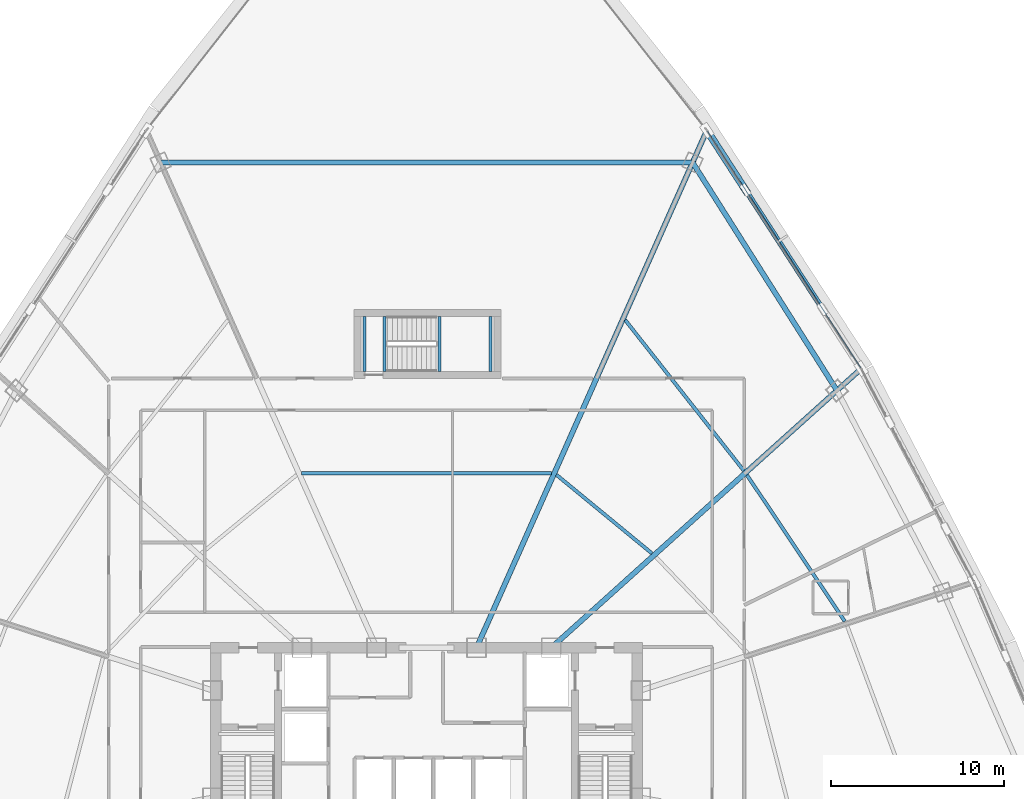
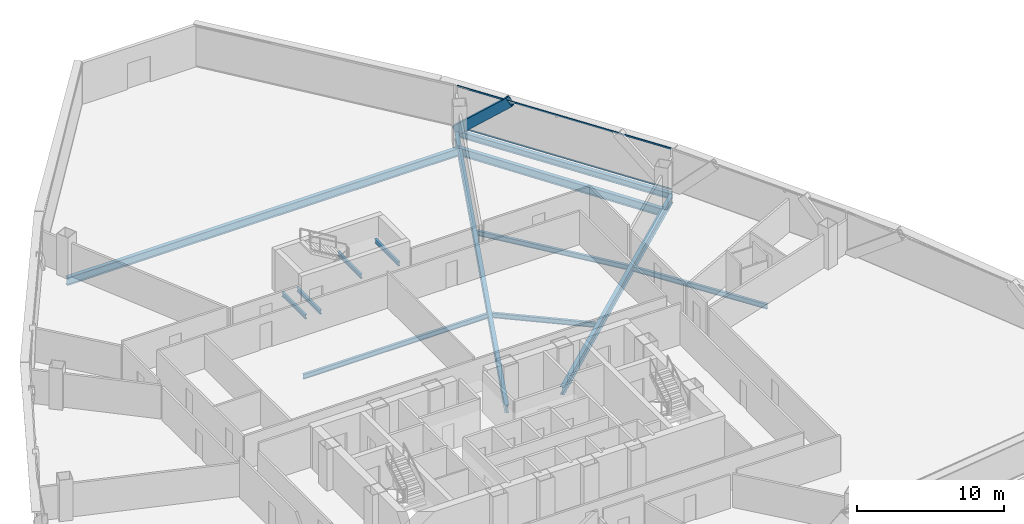
# One storey, part 19 of 42: 13 beams, 3 members, 1 element without a shape of its own.
"""IFC4 building model written with IfcOpenShell, lengths in metres."""

from ifc_helpers import new_model, si_unit, direction, frame, origin, origin_2d, place, context, subcontext, project, spatial, hollow_rectangle, i_section, extrude, source, transform, mapped, material, layer, layer_set, material_profile, profile_set, type_object, element, aggregate, save


model = new_model("IFC4")

# Units and contexts
model_context = context("Model", 3, precision=1e-05, world=origin(), true_north=direction((0.0, 1.0)))
body_context = subcontext(model_context, "Body", "Model", "MODEL_VIEW")
ifc_project = project(units=[si_unit("LENGTHUNIT", "METRE"), si_unit("AREAUNIT", "SQUARE_METRE"), si_unit("VOLUMEUNIT", "CUBIC_METRE"), si_unit("PLANEANGLEUNIT", "RADIAN"), si_unit("MASSUNIT", "GRAM", prefix="KILO"), si_unit("THERMODYNAMICTEMPERATUREUNIT", "KELVIN"), si_unit("POWERUNIT", "WATT")], contexts=[model_context])

# Site, building, storey
site_placement = place(None, origin())
site = spatial("IfcSite", under=ifc_project, at=site_placement, CompositionType="ELEMENT")
building_placement = place(site_placement, origin())
building = spatial("IfcBuilding", under=site, at=building_placement, Name="Yunzhuo Pagoda Commons", CompositionType="ELEMENT")
storey_placement = place(building_placement, frame((0.0, 0.0, 129.830078125)))
storey = spatial("IfcBuildingStorey", under=building, at=storey_placement, Name="L32", CompositionType="ELEMENT", Elevation=129.830078125)

# Beams
ifc_material_1 = material(Name="Structural steel Q355B", Category="steel")
ifc_material_profile_1 = material_profile(ifc_material_1, i_section(OverallWidth=0.175048828125, OverallDepth=0.35009765625, WebThickness=0.007080078125, FlangeThickness=0.010986328125, at=origin_2d()), Name="Structural steel Q355B")
ifc_profile_set_1 = profile_set([ifc_material_profile_1], Name="Structural steel Q355B")
beam_type_1 = type_object("IfcBeamType", Name="B-JS2 Joist HN 350x175x7x11", PredefinedType="JOIST", material=ifc_profile_set_1)
shared_shape_1 = source(origin(), body_context, "Body", "SweptSolid", [
    extrude(i_section(OverallWidth=0.175048828125, OverallDepth=0.35009765625, WebThickness=0.007080078125, FlangeThickness=0.010986328125, at=origin_2d()), origin(), (0.0, 0.0, 1.0), 3.199951171875),
])
for number, where, z_axis, x_axis, name in (
    (1, (48.75, 56.199951171875, 1.46484375), (0.0, 1.0, 0.0), (-1.0, 0.0, 0.0), "L32 ST3 landing support beam 38A"),
    (2, (51.699951171875, 56.199951171875, 1.46484375), (0.0, 1.0, 0.0), (-1.0, 0.0, 0.0), "L32 ST3 landing support beam 38B"),
    (3, (44.39990234375, 56.199951171875, -0.375), (0.0, 1.0, 0.0), (-1.0, 0.0, 0.0), "L32 ST3 landing support beam 106A"),
    (4, (45.550048828125, 56.199951171875, -0.375), (0.0, 1.0, 0.0), (-1.0, 0.0, 0.0), "L32 ST3 landing support beam 106B"),
):
    element("IfcBeam", number, at=place(storey_placement, frame(where, z_axis=z_axis, x_axis=x_axis)), inside=storey, type_object=beam_type_1, Name=name, PredefinedType="JOIST", context=body_context, shape_type="MappedRepresentation", body=[
        mapped(shared_shape_1, transform((0.0, 0.0, 0.0), scale=1.0)),
    ])
ifc_material_profile_2 = material_profile(ifc_material_1, i_section(OverallWidth=0.300048828125, OverallDepth=0.488037109375, WebThickness=0.010986328125, FlangeThickness=0.01806640625, at=origin_2d()), Name="Structural steel Q355B")
ifc_profile_set_2 = profile_set([ifc_material_profile_2], Name="Structural steel Q355B")
beam_type_2 = type_object("IfcBeamType", Name="B-SP1 Beam HM 488x300x11x18", PredefinedType="BEAM", material=ifc_profile_set_2)
shared_shape_2 = source(origin(), body_context, "Body", "SweptSolid", [
    extrude(i_section(OverallWidth=0.300048828125, OverallDepth=0.488037109375, WebThickness=0.010986328125, FlangeThickness=0.01806640625, at=origin_2d()), origin(), (0.0, 0.0, 1.0), 16.43994140625),
])
beam_1_placement = place(storey_placement, frame((73.173828125, 56.36669921875, -0.504150390625), z_axis=(-0.543751172909, 0.839246484627, 0.0), x_axis=(-0.839246484627, -0.543751172909, 0.0)))
element("IfcBeam", 5, at=beam_1_placement, inside=storey, type_object=beam_type_2, Name="L32 facade edge spandrel beam F2.3", PredefinedType="BEAM", context=body_context, shape_type="MappedRepresentation", body=[
    mapped(shared_shape_2, transform((0.0, 0.0, 0.0), scale=1.0)),
])
ifc_material_profile_3 = material_profile(ifc_material_1, i_section(OverallWidth=0.300048828125, OverallDepth=0.64990234375, WebThickness=0.012939453125, FlangeThickness=0.02197265625, at=origin_2d()), Name="Structural steel Q355B")
ifc_profile_set_3 = profile_set([ifc_material_profile_3], Name="Structural steel Q355B")
beam_type_3 = type_object("IfcBeamType", Name="B-RG2 Beam HN 650x300x13x22", PredefinedType="BEAM", material=ifc_profile_set_3)
shared_shape_3 = source(origin(), body_context, "Body", "SweptSolid", [
    extrude(i_section(OverallWidth=0.300048828125, OverallDepth=0.64990234375, WebThickness=0.012939453125, FlangeThickness=0.02197265625, at=origin_2d()), origin(), (0.0, 0.0, 1.0), 24.005859375),
])
beam_2_placement = place(storey_placement, frame((73.05859375, 56.26318359375, -0.5849609375), z_axis=(-0.743136854915, -0.66913945846, 0.0), x_axis=(0.66913945846, -0.743136854915, 0.0)))
element("IfcBeam", 6, at=beam_2_placement, inside=storey, type_object=beam_type_3, Name="L32 radial floor girder F2C3", PredefinedType="BEAM", context=body_context, shape_type="MappedRepresentation", body=[
    mapped(shared_shape_3, transform((0.0, 0.0, 0.0), scale=1.0)),
])
shared_shape_4 = source(origin(), body_context, "Body", "SweptSolid", [
    extrude(i_section(OverallWidth=0.300048828125, OverallDepth=0.64990234375, WebThickness=0.012939453125, FlangeThickness=0.02197265625, at=origin_2d()), origin(), (0.0, 0.0, 1.0), 32.64453125),
])
beam_3_placement = place(storey_placement, frame((64.171630859375, 70.022216796875, -0.5849609375), z_axis=(-0.406733058142, -0.91354705375, 0.0), x_axis=(0.91354705375, -0.406733058142, 0.0)))
element("IfcBeam", 7, at=beam_3_placement, inside=storey, type_object=beam_type_3, Name="L32 radial floor girder F2C4", PredefinedType="BEAM", context=body_context, shape_type="MappedRepresentation", body=[
    mapped(shared_shape_4, transform((0.0, 0.0, 0.0), scale=1.0)),
])
ifc_material_profile_4 = material_profile(ifc_material_1, i_section(OverallWidth=0.199951171875, OverallDepth=0.39990234375, WebThickness=0.008056640625, FlangeThickness=0.012939453125, at=origin_2d()), Name="Structural steel Q355B")
ifc_profile_set_4 = profile_set([ifc_material_profile_4], Name="Structural steel Q355B")
beam_type_4 = type_object("IfcBeamType", Name="B-JS1 Joist HN 400x200x8x13", PredefinedType="JOIST", material=ifc_profile_set_4)
shared_shape_5 = source(origin(), body_context, "Body", "SweptSolid", [
    extrude(i_section(OverallWidth=0.199951171875, OverallDepth=0.39990234375, WebThickness=0.008056640625, FlangeThickness=0.012939453125, at=origin_2d()), origin(), (0.0, 0.0, 1.0), 10.186767578125),
])
beam_4_placement = place(storey_placement, frame((72.221923828125, 41.731201171875, -0.4599609375), z_axis=(-0.555872145938, 0.831267801235, 0.0), x_axis=(-0.831267801235, -0.555872145938, 0.0)))
element("IfcBeam", 8, at=beam_4_placement, inside=storey, type_object=beam_type_4, Name="L32 composite ring joist 2.6", PredefinedType="JOIST", context=body_context, shape_type="MappedRepresentation", body=[
    mapped(shared_shape_5, transform((0.0, 0.0, 0.0), scale=1.0)),
])
shared_shape_6 = source(origin(), body_context, "Body", "SweptSolid", [
    extrude(i_section(OverallWidth=0.300048828125, OverallDepth=0.64990234375, WebThickness=0.012939453125, FlangeThickness=0.02197265625, at=origin_2d()), origin(), (0.0, 0.0, 1.0), 15.627685546875),
])
beam_5_placement = place(storey_placement, frame((71.76611328125, 55.09912109375, -0.5849609375), z_axis=(-0.534952471728, 0.844882153316, 0.0), x_axis=(-0.844882153316, -0.534952471728, 0.0)))
element("IfcBeam", 9, at=beam_5_placement, inside=storey, type_object=beam_type_3, Name="L32 column-ring beam 7", PredefinedType="BEAM", context=body_context, shape_type="MappedRepresentation", body=[
    mapped(shared_shape_6, transform((0.0, 0.0, 0.0), scale=1.0)),
])
shared_shape_7 = source(origin(), body_context, "Body", "SweptSolid", [
    extrude(i_section(OverallWidth=0.199951171875, OverallDepth=0.39990234375, WebThickness=0.008056640625, FlangeThickness=0.012939453125, at=origin_2d()), origin(), (0.0, 0.0, 1.0), 7.163818359375),
])
beam_6_placement = place(storey_placement, frame((61.05322265625, 45.664794921875, -0.4599609375), z_axis=(-0.772234119563, 0.635338071095, 0.0), x_axis=(-0.635338071095, -0.772234119563, 0.0)))
element("IfcBeam", 10, at=beam_6_placement, inside=storey, type_object=beam_type_4, Name="L32 composite ring joist 1.7", PredefinedType="JOIST", context=body_context, shape_type="MappedRepresentation", body=[
    mapped(shared_shape_7, transform((0.0, 0.0, 0.0), scale=1.0)),
])
shared_shape_8 = source(origin(), body_context, "Body", "SweptSolid", [
    extrude(i_section(OverallWidth=0.199951171875, OverallDepth=0.39990234375, WebThickness=0.008056640625, FlangeThickness=0.012939453125, at=origin_2d()), origin(), (0.0, 0.0, 1.0), 11.109375),
])
beam_7_placement = place(storey_placement, frame((66.372802734375, 50.456298828125, -0.4599609375), z_axis=(-0.618600596935, 0.785705607382, 0.0), x_axis=(-0.785705607382, -0.618600596935, 0.0)))
element("IfcBeam", 11, at=beam_7_placement, inside=storey, type_object=beam_type_4, Name="L32 composite ring joist 2.7", PredefinedType="JOIST", context=body_context, shape_type="MappedRepresentation", body=[
    mapped(shared_shape_8, transform((0.0, 0.0, 0.0), scale=1.0)),
])
shared_shape_9 = source(origin(), body_context, "Body", "SweptSolid", [
    extrude(i_section(OverallWidth=0.300048828125, OverallDepth=0.64990234375, WebThickness=0.012939453125, FlangeThickness=0.02197265625, at=origin_2d()), origin(), (0.0, 0.0, 1.0), 30.81201171875),
])
beam_8_placement = place(storey_placement, frame((63.406005859375, 68.302734375, -0.5849609375), z_axis=(-1.0, 0.0, 0.0), x_axis=(0.0, -1.0, 0.0)))
element("IfcBeam", 12, at=beam_8_placement, inside=storey, type_object=beam_type_3, Name="L32 column-ring beam 8", PredefinedType="BEAM", context=body_context, shape_type="MappedRepresentation", body=[
    mapped(shared_shape_9, transform((0.0, 0.0, 0.0), scale=1.0)),
])
shared_shape_10 = source(origin(), body_context, "Body", "SweptSolid", [
    extrude(i_section(OverallWidth=0.199951171875, OverallDepth=0.39990234375, WebThickness=0.008056640625, FlangeThickness=0.012939453125, at=origin_2d()), origin(), (0.0, 0.0, 1.0), 14.47900390625),
])
beam_9_placement = place(storey_placement, frame((55.239501953125, 50.317138671875, -0.4599609375), z_axis=(-1.0, 0.0, 0.0), x_axis=(0.0, -1.0, 0.0)))
element("IfcBeam", 13, at=beam_9_placement, inside=storey, type_object=beam_type_4, Name="L32 composite ring joist 1.8", PredefinedType="JOIST", context=body_context, shape_type="MappedRepresentation", body=[
    mapped(shared_shape_10, transform((0.0, 0.0, 0.0), scale=1.0)),
])

# Member
ifc_material_2 = material(Name="Structural steel Q420B", Category="steel")
ifc_material_profile_5 = material_profile(ifc_material_2, hollow_rectangle(XDim=0.419921875, YDim=0.719970703125, WallThickness=0.028076171875, at=origin_2d()), Name="Structural steel Q420B")
ifc_profile_set_5 = profile_set([ifc_material_profile_5], Name="Structural steel Q420B")
member_type_1 = type_object("IfcMemberType", Name="M-DL1 Brace BOX 720x420x28", PredefinedType="BRACE", material=ifc_profile_set_5)
shared_shape_11 = source(origin(), body_context, "Body", "SweptSolid", [
    extrude(hollow_rectangle(XDim=0.419921875, YDim=0.719970703125, WallThickness=0.028076171875, at=origin_2d()), origin(), (0.0, 0.0, 1.0), 5.5166015625),
])
member_1_placement = place(storey_placement, frame((64.234619140625, 70.163818359375, -0.260009765625), z_axis=(0.405111104648, -0.625235928169, 0.667056989333), x_axis=(0.839235316725, 0.543768409492, 0.0)))
element("IfcMember", 14, at=member_1_placement, inside=storey, type_object=member_type_1, Name="L32 facade diamond brace F2.3R", PredefinedType="BRACE", context=body_context, shape_type="MappedRepresentation", body=[
    mapped(shared_shape_11, transform((0.0, 0.0, 0.0), scale=1.0)),
])

# Curtain wall, members
ifc_material_3 = material(Name="Anodized aluminium 6063-T6", Category="aluminium")
ifc_layer = layer(ifc_material_3, 0.14990234375)
ifc_layer_set = layer_set([ifc_layer], Name="Anodized aluminium 6063-T6")
curtain_wall_type = type_object("IfcCurtainWallType", Name="CW-MID Mid-Zone Ribbon Curtain Wall", PredefinedType="NOTDEFINED", material=ifc_layer_set)
curtain_wall_placement = place(storey_placement, origin())
curtain_wall = element("IfcCurtainWall", 15, at=curtain_wall_placement, inside=storey, type_object=curtain_wall_type, Name="L32 curtain wall CW-L32-F2B4", PredefinedType="NOTDEFINED")
ifc_material_profile_6 = material_profile(ifc_material_3, hollow_rectangle(XDim=0.054931640625, YDim=0.1298828125, WallThickness=0.00341796875, at=origin_2d()), Name="Anodized aluminium 6063-T6")
ifc_profile_set_6 = profile_set([ifc_material_profile_6], Name="Anodized aluminium 6063-T6")
member_type_2 = type_object("IfcMemberType", Name="CW-MID-T Transom RHS 130x55x3.5", PredefinedType="USERDEFINED", material=ifc_profile_set_6)
shared_shape_12 = source(origin(), body_context, "Body", "SweptSolid", [
    extrude(hollow_rectangle(XDim=0.054931640625, YDim=0.1298828125, WallThickness=0.00341796875, at=origin_2d()), origin(), (0.0, 0.0, 1.0), 16.319580078125),
])
member_2_placement = place(storey_placement, frame((73.14111328125, 56.4169921875, 0.02734375), z_axis=(-0.543746793414, 0.839249322104, 0.0), x_axis=(-0.839249322104, -0.543746793414, 0.0)))
member_2 = element("IfcMember", 16, at=member_2_placement, type_object=member_type_2, Name="CW transom 1.1", ObjectType="TRANSOM", PredefinedType="USERDEFINED", context=body_context, shape_type="MappedRepresentation", body=[
    mapped(shared_shape_12, transform((0.0, 0.0, 0.0), scale=1.0)),
])
member_3_placement = place(storey_placement, frame((73.14111328125, 56.4169921875, 3.392333984375), z_axis=(-0.543746793414, 0.839249322104, 0.0), x_axis=(-0.839249322104, -0.543746793414, 0.0)))
member_3 = element("IfcMember", 17, at=member_3_placement, type_object=member_type_2, Name="CW transom 1.2", ObjectType="TRANSOM", PredefinedType="USERDEFINED", context=body_context, shape_type="MappedRepresentation", body=[
    mapped(shared_shape_12, transform((0.0, 0.0, 0.0), scale=1.0)),
])
aggregate(curtain_wall, [member_2, member_3])

save(model, "model.ifc")
